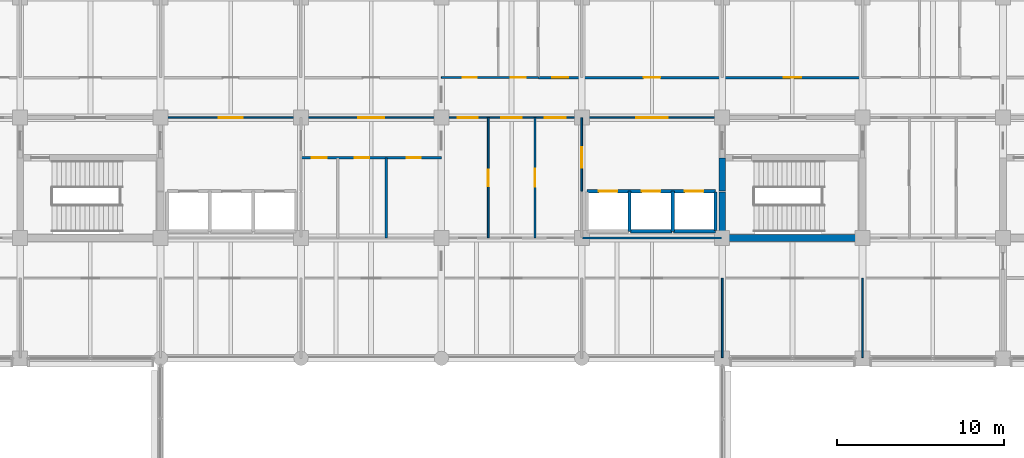
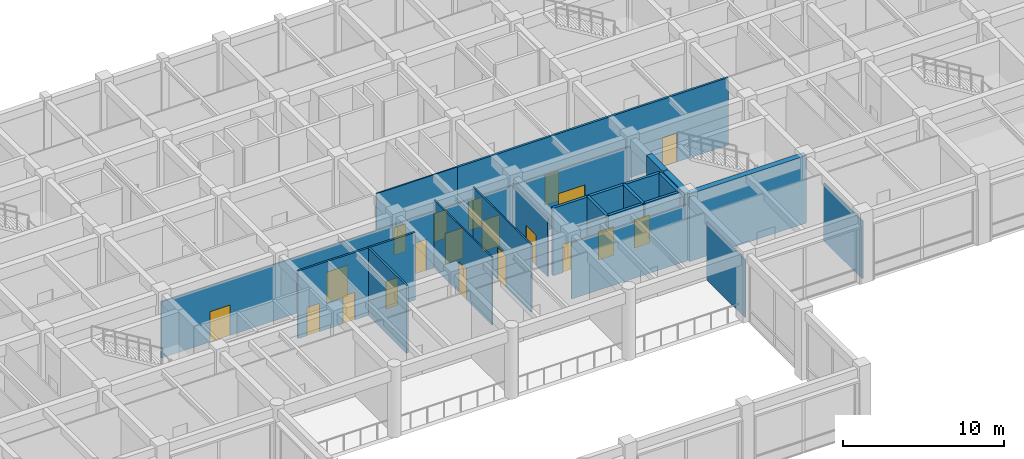
# One storey, part 31 of 51: 20 doors, 20 walls, 20 openings.
"""IFC4 building model written with IfcOpenShell, lengths in metres."""

from ifc_helpers import new_model, si_unit, direction, frame, frame_2d, origin, place, context, subcontext, project, spatial, rectangle, extrude, material, layer, layer_set, type_object, element, fill, save


model = new_model("IFC4")

# Units and contexts
model_context = context("Model", 3, precision=1e-05, world=origin(), true_north=direction((0.0, 1.0)))
body_context = subcontext(model_context, "Body", "Model", "MODEL_VIEW")
ifc_project = project(units=[si_unit("LENGTHUNIT", "METRE"), si_unit("AREAUNIT", "SQUARE_METRE"), si_unit("VOLUMEUNIT", "CUBIC_METRE"), si_unit("PLANEANGLEUNIT", "RADIAN"), si_unit("MASSUNIT", "GRAM", prefix="KILO")], contexts=[model_context])

# Site, building, storey
site_placement = place(None, origin())
site = spatial("IfcSite", under=ifc_project, at=site_placement, CompositionType="ELEMENT")
building_placement = place(site_placement, origin())
building = spatial("IfcBuilding", under=site, at=building_placement, Name="Chengyuan Square Courthouse", CompositionType="ELEMENT")
storey_placement = place(building_placement, frame((0.0, 0.0, 10.800048828125)))
storey = spatial("IfcBuildingStorey", under=building, at=storey_placement, Name="L03", CompositionType="ELEMENT", Elevation=10.800048828125)

# Wall, openings, doors
ifc_material_1 = material(Name="Deliberation Room Sound-Insulated Partition")
ifc_layer_1 = layer(ifc_material_1, 0.14990234375)
ifc_layer_set_1 = layer_set([ifc_layer_1], Name="Deliberation Room Sound-Insulated Partition")
wall_type_1 = type_object("IfcWallType", Name="WL-PT3", PredefinedType="STANDARD", material=ifc_layer_set_1)
wall_1_placement = place(storey_placement, frame((89.800048828125, 96.0, 0.0), z_axis=(0.0, 0.0, 1.0), x_axis=(1.0, 0.0, 0.0)))
wall_1 = element("IfcWall", 1, at=wall_1_placement, inside=storey, type_object=wall_type_1, Name="Interior Wall WL-L03-I1468", PredefinedType="STANDARD", context=body_context, shape_type="SweptSolid", body=[
    extrude(rectangle(XDim=19.39990234375, YDim=0.14990234375, at=frame_2d((9.699951171875, 0.0))), origin(), (0.0, 0.0, 1.0), 5.119873046875),
])
opening_1_placement = place(wall_1_placement, frame((0.820068359375, 0.0, 0.0)))
opening_1 = element("IfcOpeningElement", 2, at=opening_1_placement, cuts=wall_1, Name="Opening DR-1479", PredefinedType="OPENING", context=body_context, shape_type="SweptSolid", body=[
    extrude(rectangle(XDim=0.9599609375, YDim=2.199951171875, at=frame_2d((0.47998046875, 1.10009765625))), frame((0.0, 0.0869140625, 0.0), z_axis=(0.0, -1.0, 0.0), x_axis=(1.0, 0.0, 0.0)), (0.0, 0.0, 1.0), 0.173828125),
])
opening_2_placement = place(wall_1_placement, frame((6.300048828125, 0.0, 0.0)))
opening_2 = element("IfcOpeningElement", 3, at=opening_2_placement, cuts=wall_1, Name="Opening DR-1480", PredefinedType="OPENING", context=body_context, shape_type="SweptSolid", body=[
    extrude(rectangle(XDim=1.0, YDim=2.25, at=frame_2d((0.5, 1.125))), frame((0.0, 0.0869140625, 0.0), z_axis=(0.0, -1.0, 0.0), x_axis=(1.0, 0.0, 0.0)), (0.0, 0.0, 1.0), 0.173828125),
])
opening_3_placement = place(wall_1_placement, frame((14.679931640625, 0.0, 0.0)))
opening_3 = element("IfcOpeningElement", 4, at=opening_3_placement, cuts=wall_1, Name="Opening DR-1481", PredefinedType="OPENING", context=body_context, shape_type="SweptSolid", body=[
    extrude(rectangle(XDim=1.0400390625, YDim=2.199951171875, at=frame_2d((0.52001953125, 1.10009765625))), frame((0.0, 0.0869140625, 0.0), z_axis=(0.0, -1.0, 0.0), x_axis=(1.0, 0.0, 0.0)), (0.0, 0.0, 1.0), 0.173828125),
])
ifc_material_2 = material(Name="Acoustic Solid-Core Timber Door", Category="wood")
door_type_1 = type_object("IfcDoorType", Name="DT-30", OperationType="NOTDEFINED", PredefinedType="DOOR", material=ifc_material_2)
door_1_placement = place(opening_1_placement, origin())
door_1 = element("IfcDoor", 5, at=door_1_placement, inside=storey, type_object=door_type_1, Name="Interior Door DR-1479", OperationType="SINGLE_SWING_RIGHT", OverallHeight=2.199951171875, OverallWidth=0.9599609375, PredefinedType="DOOR", context=body_context, shape_type="SweptSolid", body=[
    extrude(rectangle(XDim=0.9599609375, YDim=2.199951171875, at=frame_2d((0.47998046875, 1.10009765625))), frame((0.0, 0.02490234375, 0.0), z_axis=(0.0, -1.0, 0.0), x_axis=(1.0, 0.0, 0.0)), (0.0, 0.0, 1.0), 0.050048828125),
])
fill(opening_1, door_1)
door_type_2 = type_object("IfcDoorType", Name="DT-31", OperationType="NOTDEFINED", PredefinedType="DOOR", material=ifc_material_2)
door_2_placement = place(opening_2_placement, origin())
door_2 = element("IfcDoor", 6, at=door_2_placement, inside=storey, type_object=door_type_2, Name="Interior Door DR-1480", OperationType="SINGLE_SWING_LEFT", OverallHeight=2.25, OverallWidth=1.0, PredefinedType="DOOR", context=body_context, shape_type="SweptSolid", body=[
    extrude(rectangle(XDim=1.0, YDim=2.25, at=frame_2d((0.5, 1.125))), frame((0.0, 0.02490234375, 0.0), z_axis=(0.0, -1.0, 0.0), x_axis=(1.0, 0.0, 0.0)), (0.0, 0.0, 1.0), 0.050048828125),
])
fill(opening_2, door_2)
door_type_3 = type_object("IfcDoorType", Name="DT-32", OperationType="NOTDEFINED", PredefinedType="DOOR", material=ifc_material_2)
door_3_placement = place(opening_3_placement, origin())
door_3 = element("IfcDoor", 7, at=door_3_placement, inside=storey, type_object=door_type_3, Name="Interior Door DR-1481", OperationType="SINGLE_SWING_RIGHT", OverallHeight=2.199951171875, OverallWidth=1.0400390625, PredefinedType="DOOR", context=body_context, shape_type="SweptSolid", body=[
    extrude(rectangle(XDim=1.0400390625, YDim=2.199951171875, at=frame_2d((0.52001953125, 1.10009765625))), frame((0.0, 0.02490234375, 0.0), z_axis=(0.0, -1.0, 0.0), x_axis=(1.0, 0.0, 0.0)), (0.0, 0.0, 1.0), 0.050048828125),
])
fill(opening_3, door_3)

ifc_material_3 = material(Name="Moisture-Resistant Masonry Wet-Room Partition", Category="masonry")
ifc_layer_2 = layer(ifc_material_3, 0.139892578125)
ifc_layer_set_2 = layer_set([ifc_layer_2], Name="Moisture-Resistant Masonry Wet-Room Partition")
wall_type_2 = type_object("IfcWallType", Name="WL-PT4", PredefinedType="STANDARD", material=ifc_layer_set_2)
wall_2_placement = place(storey_placement, frame((75.60009765625, 91.199951171875, 0.0), z_axis=(0.0, 0.0, 1.0), x_axis=(1.0, 0.0, 0.0)))
wall_2 = element("IfcWall", 8, at=wall_2_placement, inside=storey, type_object=wall_type_2, Name="Interior Wall WL-L03-I1444", PredefinedType="STANDARD", context=body_context, shape_type="SweptSolid", body=[
    extrude(rectangle(XDim=8.39990234375, YDim=0.139892578125, at=frame_2d((4.199951171875, 0.0))), origin(), (0.0, 0.0, 1.0), 5.119873046875),
])
opening_4_placement = place(wall_2_placement, frame((0.64990234375, 0.0, 0.0)))
opening_4 = element("IfcOpeningElement", 9, at=opening_4_placement, cuts=wall_2, Name="Opening DR-1442", PredefinedType="OPENING", context=body_context, shape_type="SweptSolid", body=[
    extrude(rectangle(XDim=0.89990234375, YDim=2.14990234375, at=frame_2d((0.449951171875, 1.074951171875))), frame((0.0, 0.08203125, 0.0), z_axis=(0.0, -1.0, 0.0), x_axis=(1.0, 0.0, 0.0)), (0.0, 0.0, 1.0), 0.163818359375),
])
opening_5_placement = place(wall_2_placement, frame((3.219970703125, 0.0, 0.0)))
opening_5 = element("IfcOpeningElement", 10, at=opening_5_placement, cuts=wall_2, Name="Opening DR-1443", PredefinedType="OPENING", context=body_context, shape_type="SweptSolid", body=[
    extrude(rectangle(XDim=0.860107421875, YDim=2.10009765625, at=frame_2d((0.43017578125, 1.050048828125))), frame((0.0, 0.08203125, 0.0), z_axis=(0.0, -1.0, 0.0), x_axis=(1.0, 0.0, 0.0)), (0.0, 0.0, 1.0), 0.163818359375),
])
opening_6_placement = place(wall_2_placement, frame((6.320068359375, 0.0, 0.0)))
opening_6 = element("IfcOpeningElement", 11, at=opening_6_placement, cuts=wall_2, Name="Opening DR-1444", PredefinedType="OPENING", context=body_context, shape_type="SweptSolid", body=[
    extrude(rectangle(XDim=0.860107421875, YDim=2.10009765625, at=frame_2d((0.43017578125, 1.050048828125))), frame((0.0, 0.08203125, 0.0), z_axis=(0.0, -1.0, 0.0), x_axis=(1.0, 0.0, 0.0)), (0.0, 0.0, 1.0), 0.163818359375),
])
door_type_4 = type_object("IfcDoorType", Name="DT-27", OperationType="NOTDEFINED", PredefinedType="DOOR", material=ifc_material_2)
door_4_placement = place(opening_4_placement, origin())
door_4 = element("IfcDoor", 12, at=door_4_placement, inside=storey, type_object=door_type_4, Name="Interior Door DR-1442", OperationType="SINGLE_SWING_RIGHT", OverallHeight=2.14990234375, OverallWidth=0.89990234375, PredefinedType="DOOR", context=body_context, shape_type="SweptSolid", body=[
    extrude(rectangle(XDim=0.89990234375, YDim=2.14990234375, at=frame_2d((0.449951171875, 1.074951171875))), frame((0.0, 0.02490234375, 0.0), z_axis=(0.0, -1.0, 0.0), x_axis=(1.0, 0.0, 0.0)), (0.0, 0.0, 1.0), 0.050048828125),
])
fill(opening_4, door_4)
door_type_5 = type_object("IfcDoorType", Name="DT-28", OperationType="NOTDEFINED", PredefinedType="DOOR", material=ifc_material_2)
door_5_placement = place(opening_5_placement, origin())
door_5 = element("IfcDoor", 13, at=door_5_placement, inside=storey, type_object=door_type_5, Name="Interior Door DR-1443", OperationType="SINGLE_SWING_LEFT", OverallHeight=2.10009765625, OverallWidth=0.860107421875, PredefinedType="DOOR", context=body_context, shape_type="SweptSolid", body=[
    extrude(rectangle(XDim=0.860107421875, YDim=2.10009765625, at=frame_2d((0.43017578125, 1.050048828125))), frame((0.0, 0.02490234375, 0.0), z_axis=(0.0, -1.0, 0.0), x_axis=(1.0, 0.0, 0.0)), (0.0, 0.0, 1.0), 0.050048828125),
])
fill(opening_5, door_5)
door_6_placement = place(opening_6_placement, origin())
door_6 = element("IfcDoor", 14, at=door_6_placement, inside=storey, type_object=door_type_5, Name="Interior Door DR-1444", OperationType="SINGLE_SWING_RIGHT", OverallHeight=2.10009765625, OverallWidth=0.860107421875, PredefinedType="DOOR", context=body_context, shape_type="SweptSolid", body=[
    extrude(rectangle(XDim=0.860107421875, YDim=2.10009765625, at=frame_2d((0.43017578125, 1.050048828125))), frame((0.0, 0.02490234375, 0.0), z_axis=(0.0, -1.0, 0.0), x_axis=(1.0, 0.0, 0.0)), (0.0, 0.0, 1.0), 0.050048828125),
])
fill(opening_6, door_6)

# Walls
wall_3_placement = place(storey_placement, frame((80.699951171875, 86.39990234375, 0.0), z_axis=(0.0, 0.0, 1.0), x_axis=(0.0, 1.0, 0.0)))
element("IfcWall", 15, at=wall_3_placement, inside=storey, type_object=wall_type_2, Name="Interior Wall WL-L03-I1639", PredefinedType="STANDARD", context=body_context, shape_type="SweptSolid", body=[
    extrude(rectangle(XDim=4.800048828125, YDim=0.139892578125, at=frame_2d((2.39990234375, 0.0))), origin(), (0.0, 0.0, 1.0), 5.119873046875),
])
ifc_material_4 = material(Name="Gypsum Plasterboard Acoustic Stud Partition")
ifc_layer_3 = layer(ifc_material_4, 0.10009765625)
ifc_layer_set_3 = layer_set([ifc_layer_3], Name="Gypsum Plasterboard Acoustic Stud Partition")
wall_type_3 = type_object("IfcWallType", Name="WL-PT6", PredefinedType="STANDARD", material=ifc_layer_set_3)
wall_4_placement = place(storey_placement, frame((92.449951171875, 86.39990234375, 0.0), z_axis=(0.0, 0.0, 1.0), x_axis=(1.0, 0.0, 0.0)))
element("IfcWall", 16, at=wall_4_placement, inside=storey, type_object=wall_type_3, Name="Interior Wall WL-L03-I1426", PredefinedType="STANDARD", context=body_context, shape_type="SweptSolid", body=[
    extrude(rectangle(XDim=8.300048828125, YDim=0.10009765625, at=frame_2d((4.14990234375, 0.0))), origin(), (0.0, 0.0, 1.0), 4.27001953125),
])

# Wall, openings, doors
wall_5_placement = place(storey_placement, frame((67.199951171875, 93.60009765625, 0.0), z_axis=(0.0, 0.0, 1.0), x_axis=(1.0, 0.0, 0.0)))
wall_5 = element("IfcWall", 17, at=wall_5_placement, inside=storey, type_object=wall_type_3, Name="Interior Wall WL-L03-I1454", PredefinedType="STANDARD", context=body_context, shape_type="SweptSolid", body=[
    extrude(rectangle(XDim=33.60009765625, YDim=0.10009765625, at=frame_2d((16.800048828125, 0.0))), origin(), (0.0, 0.0, 1.0), 4.27001953125),
])
opening_7_placement = place(wall_5_placement, frame((3.47509765625, 0.0, 0.0)))
opening_7 = element("IfcOpeningElement", 18, at=opening_7_placement, cuts=wall_5, Name="Opening DR-1399", PredefinedType="OPENING", context=body_context, shape_type="SweptSolid", body=[
    extrude(rectangle(XDim=1.449951171875, YDim=2.300048828125, at=frame_2d((0.72509765625, 1.14990234375))), frame((0.0, 0.06201171875, 0.0), z_axis=(0.0, -1.0, 0.0), x_axis=(1.0, 0.0, 0.0)), (0.0, 0.0, 1.0), 0.1240234375),
])
opening_8_placement = place(wall_5_placement, frame((28.449951171875, 0.0, 0.0)))
opening_8 = element("IfcOpeningElement", 19, at=opening_8_placement, cuts=wall_5, Name="Opening DR-1400", PredefinedType="OPENING", context=body_context, shape_type="SweptSolid", body=[
    extrude(rectangle(XDim=1.89990234375, YDim=2.5, at=frame_2d((0.949951171875, 1.25))), frame((0.0, 0.06201171875, 0.0), z_axis=(0.0, -1.0, 0.0), x_axis=(1.0, 0.0, 0.0)), (0.0, 0.0, 1.0), 0.1240234375),
])
opening_9_placement = place(wall_5_placement, frame((11.824951171875, 0.0, 0.0)))
opening_9 = element("IfcOpeningElement", 20, at=opening_9_placement, cuts=wall_5, Name="Opening DR-1445", PredefinedType="OPENING", context=body_context, shape_type="SweptSolid", body=[
    extrude(rectangle(XDim=1.550048828125, YDim=2.35009765625, at=frame_2d((0.77490234375, 1.175048828125))), frame((0.0, 0.06201171875, 0.0), z_axis=(0.0, -1.0, 0.0), x_axis=(1.0, 0.0, 0.0)), (0.0, 0.0, 1.0), 0.1240234375),
])
opening_10_placement = place(wall_5_placement, frame((17.784912109375, 0.0, 0.0)))
opening_10 = element("IfcOpeningElement", 21, at=opening_10_placement, cuts=wall_5, Name="Opening DR-1485", PredefinedType="OPENING", context=body_context, shape_type="SweptSolid", body=[
    extrude(rectangle(XDim=1.199951171875, YDim=2.35009765625, at=frame_2d((0.60009765625, 1.175048828125))), frame((0.0, 0.06201171875, 0.0), z_axis=(0.0, -1.0, 0.0), x_axis=(1.0, 0.0, 0.0)), (0.0, 0.0, 1.0), 0.1240234375),
])
opening_11_placement = place(wall_5_placement, frame((20.3798828125, 0.0, 0.0)))
opening_11 = element("IfcOpeningElement", 22, at=opening_11_placement, cuts=wall_5, Name="Opening DR-1486", PredefinedType="OPENING", context=body_context, shape_type="SweptSolid", body=[
    extrude(rectangle(XDim=1.239990234375, YDim=2.300048828125, at=frame_2d((0.6201171875, 1.14990234375))), frame((0.0, 0.06201171875, 0.0), z_axis=(0.0, -1.0, 0.0), x_axis=(1.0, 0.0, 0.0)), (0.0, 0.0, 1.0), 0.1240234375),
])
opening_12_placement = place(wall_5_placement, frame((22.97509765625, 0.0, 0.0)))
opening_12 = element("IfcOpeningElement", 23, at=opening_12_placement, cuts=wall_5, Name="Opening DR-1487", PredefinedType="OPENING", context=body_context, shape_type="SweptSolid", body=[
    extrude(rectangle(XDim=1.280029296875, YDim=2.35009765625, at=frame_2d((0.64013671875, 1.175048828125))), frame((0.0, 0.06201171875, 0.0), z_axis=(0.0, -1.0, 0.0), x_axis=(1.0, 0.0, 0.0)), (0.0, 0.0, 1.0), 0.1240234375),
])
ifc_material_5 = material(Name="Acoustic Larch Veneer Double Door")
door_type_6 = type_object("IfcDoorType", Name="DT-23", OperationType="DOUBLE_DOOR_SINGLE_SWING", PredefinedType="DOOR", material=ifc_material_5)
door_7_placement = place(opening_9_placement, frame((1.550048828125, 0.0, 0.0), z_axis=(0.0, 0.0, 1.0), x_axis=(-1.0, 0.0, 0.0)))
door_7 = element("IfcDoor", 24, at=door_7_placement, inside=storey, type_object=door_type_6, Name="Interior Door DR-1445", OperationType="DOUBLE_DOOR_SINGLE_SWING", OverallHeight=2.35009765625, OverallWidth=1.550048828125, PredefinedType="DOOR", context=body_context, shape_type="SweptSolid", body=[
    extrude(rectangle(XDim=1.550048828125, YDim=2.35009765625, at=frame_2d((0.77490234375, 1.175048828125))), frame((0.0, 0.02490234375, 0.0), z_axis=(0.0, -1.0, 0.0), x_axis=(1.0, 0.0, 0.0)), (0.0, 0.0, 1.0), 0.050048828125),
])
fill(opening_9, door_7)
door_type_7 = type_object("IfcDoorType", Name="DT-25", OperationType="DOUBLE_DOOR_SINGLE_SWING", PredefinedType="DOOR", material=ifc_material_5)
door_8_placement = place(opening_7_placement, frame((1.449951171875, 0.0, 0.0), z_axis=(0.0, 0.0, 1.0), x_axis=(-1.0, 0.0, 0.0)))
door_8 = element("IfcDoor", 25, at=door_8_placement, inside=storey, type_object=door_type_7, Name="Interior Door DR-1399", OperationType="DOUBLE_DOOR_SINGLE_SWING", OverallHeight=2.300048828125, OverallWidth=1.449951171875, PredefinedType="DOOR", context=body_context, shape_type="SweptSolid", body=[
    extrude(rectangle(XDim=1.449951171875, YDim=2.300048828125, at=frame_2d((0.72509765625, 1.14990234375))), frame((0.0, 0.02490234375, 0.0), z_axis=(0.0, -1.0, 0.0), x_axis=(1.0, 0.0, 0.0)), (0.0, 0.0, 1.0), 0.050048828125),
])
fill(opening_7, door_8)
door_type_8 = type_object("IfcDoorType", Name="DT-26", OperationType="DOUBLE_DOOR_SINGLE_SWING", PredefinedType="DOOR", material=ifc_material_5)
door_9_placement = place(opening_8_placement, frame((1.89990234375, 0.0, 0.0), z_axis=(0.0, 0.0, 1.0), x_axis=(-1.0, 0.0, 0.0)))
door_9 = element("IfcDoor", 26, at=door_9_placement, inside=storey, type_object=door_type_8, Name="Interior Door DR-1400", OperationType="DOUBLE_DOOR_SINGLE_SWING", OverallHeight=2.5, OverallWidth=1.89990234375, PredefinedType="DOOR", context=body_context, shape_type="SweptSolid", body=[
    extrude(rectangle(XDim=1.89990234375, YDim=2.5, at=frame_2d((0.949951171875, 1.25))), frame((0.0, 0.02490234375, 0.0), z_axis=(0.0, -1.0, 0.0), x_axis=(1.0, 0.0, 0.0)), (0.0, 0.0, 1.0), 0.050048828125),
])
fill(opening_8, door_9)
door_type_9 = type_object("IfcDoorType", Name="DT-36", OperationType="NOTDEFINED", PredefinedType="DOOR", material=ifc_material_2)
door_10_placement = place(opening_10_placement, origin())
door_10 = element("IfcDoor", 27, at=door_10_placement, inside=storey, type_object=door_type_9, Name="Interior Door DR-1485", OperationType="SINGLE_SWING_RIGHT", OverallHeight=2.35009765625, OverallWidth=1.199951171875, PredefinedType="DOOR", context=body_context, shape_type="SweptSolid", body=[
    extrude(rectangle(XDim=1.199951171875, YDim=2.35009765625, at=frame_2d((0.60009765625, 1.175048828125))), frame((0.0, 0.02490234375, 0.0), z_axis=(0.0, -1.0, 0.0), x_axis=(1.0, 0.0, 0.0)), (0.0, 0.0, 1.0), 0.050048828125),
])
fill(opening_10, door_10)
door_type_10 = type_object("IfcDoorType", Name="DT-37", OperationType="NOTDEFINED", PredefinedType="DOOR", material=ifc_material_2)
door_11_placement = place(opening_11_placement, origin())
door_11 = element("IfcDoor", 28, at=door_11_placement, inside=storey, type_object=door_type_10, Name="Interior Door DR-1486", OperationType="SINGLE_SWING_LEFT", OverallHeight=2.300048828125, OverallWidth=1.239990234375, PredefinedType="DOOR", context=body_context, shape_type="SweptSolid", body=[
    extrude(rectangle(XDim=1.239990234375, YDim=2.300048828125, at=frame_2d((0.6201171875, 1.14990234375))), frame((0.0, 0.02490234375, 0.0), z_axis=(0.0, -1.0, 0.0), x_axis=(1.0, 0.0, 0.0)), (0.0, 0.0, 1.0), 0.050048828125),
])
fill(opening_11, door_11)
door_type_11 = type_object("IfcDoorType", Name="DT-38", OperationType="NOTDEFINED", PredefinedType="DOOR", material=ifc_material_2)
door_12_placement = place(opening_12_placement, origin())
door_12 = element("IfcDoor", 29, at=door_12_placement, inside=storey, type_object=door_type_11, Name="Interior Door DR-1487", OperationType="SINGLE_SWING_RIGHT", OverallHeight=2.35009765625, OverallWidth=1.280029296875, PredefinedType="DOOR", context=body_context, shape_type="SweptSolid", body=[
    extrude(rectangle(XDim=1.280029296875, YDim=2.35009765625, at=frame_2d((0.64013671875, 1.175048828125))), frame((0.0, 0.02490234375, 0.0), z_axis=(0.0, -1.0, 0.0), x_axis=(1.0, 0.0, 0.0)), (0.0, 0.0, 1.0), 0.050048828125),
])
fill(opening_12, door_12)

wall_6_placement = place(storey_placement, frame((84.0, 96.0, 0.0), z_axis=(0.0, 0.0, 1.0), x_axis=(1.0, 0.0, 0.0)))
wall_6 = element("IfcWall", 30, at=wall_6_placement, inside=storey, type_object=wall_type_3, Name="Interior Wall WL-L03-I1467", PredefinedType="STANDARD", context=body_context, shape_type="SweptSolid", body=[
    extrude(rectangle(XDim=5.800048828125, YDim=0.10009765625, at=frame_2d((2.89990234375, 0.0))), origin(), (0.0, 0.0, 1.0), 5.119873046875),
])
opening_13_placement = place(wall_6_placement, frame((1.27001953125, 0.0, 0.0)))
opening_13 = element("IfcOpeningElement", 31, at=opening_13_placement, cuts=wall_6, Name="Opening DR-1477", PredefinedType="OPENING", context=body_context, shape_type="SweptSolid", body=[
    extrude(rectangle(XDim=0.860107421875, YDim=2.10009765625, at=frame_2d((0.43017578125, 1.050048828125))), frame((0.0, 0.06201171875, 0.0), z_axis=(0.0, -1.0, 0.0), x_axis=(1.0, 0.0, 0.0)), (0.0, 0.0, 1.0), 0.1240234375),
])
opening_14_placement = place(wall_6_placement, frame((4.139892578125, 0.0, 0.0)))
opening_14 = element("IfcOpeningElement", 32, at=opening_14_placement, cuts=wall_6, Name="Opening DR-1478", PredefinedType="OPENING", context=body_context, shape_type="SweptSolid", body=[
    extrude(rectangle(XDim=0.919921875, YDim=2.14990234375, at=frame_2d((0.4599609375, 1.074951171875))), frame((0.0, 0.06201171875, 0.0), z_axis=(0.0, -1.0, 0.0), x_axis=(1.0, 0.0, 0.0)), (0.0, 0.0, 1.0), 0.1240234375),
])
door_13_placement = place(opening_13_placement, origin())
door_13 = element("IfcDoor", 33, at=door_13_placement, inside=storey, type_object=door_type_5, Name="Interior Door DR-1477", OperationType="SINGLE_SWING_RIGHT", OverallHeight=2.10009765625, OverallWidth=0.860107421875, PredefinedType="DOOR", context=body_context, shape_type="SweptSolid", body=[
    extrude(rectangle(XDim=0.860107421875, YDim=2.10009765625, at=frame_2d((0.43017578125, 1.050048828125))), frame((0.0, 0.02490234375, 0.0), z_axis=(0.0, -1.0, 0.0), x_axis=(1.0, 0.0, 0.0)), (0.0, 0.0, 1.0), 0.050048828125),
])
fill(opening_13, door_13)
door_type_12 = type_object("IfcDoorType", Name="DT-29", OperationType="NOTDEFINED", PredefinedType="DOOR", material=ifc_material_2)
door_14_placement = place(opening_14_placement, origin())
door_14 = element("IfcDoor", 34, at=door_14_placement, inside=storey, type_object=door_type_12, Name="Interior Door DR-1478", OperationType="SINGLE_SWING_LEFT", OverallHeight=2.14990234375, OverallWidth=0.919921875, PredefinedType="DOOR", context=body_context, shape_type="SweptSolid", body=[
    extrude(rectangle(XDim=0.919921875, YDim=2.14990234375, at=frame_2d((0.4599609375, 1.074951171875))), frame((0.0, 0.02490234375, 0.0), z_axis=(0.0, -1.0, 0.0), x_axis=(1.0, 0.0, 0.0)), (0.0, 0.0, 1.0), 0.050048828125),
])
fill(opening_14, door_14)

# Wall, opening, door
wall_7_placement = place(storey_placement, frame((86.800048828125, 86.39990234375, 0.0), z_axis=(0.0, 0.0, 1.0), x_axis=(0.0, 1.0, 0.0)))
wall_7 = element("IfcWall", 35, at=wall_7_placement, inside=storey, type_object=wall_type_3, Name="Interior Wall WL-L03-I1645", PredefinedType="STANDARD", context=body_context, shape_type="SweptSolid", body=[
    extrude(rectangle(XDim=7.2001953125, YDim=0.10009765625, at=frame_2d((3.60009765625, 0.0))), origin(), (0.0, 0.0, 1.0), 5.119873046875),
])
opening_15_placement = place(wall_7_placement, frame((3.110107421875, 0.0, 0.0)))
opening_15 = element("IfcOpeningElement", 36, at=opening_15_placement, cuts=wall_7, Name="Opening DR-1540", PredefinedType="OPENING", context=body_context, shape_type="SweptSolid", body=[
    extrude(rectangle(XDim=0.97998046875, YDim=2.35009765625, at=frame_2d((0.489990234375, 1.175048828125))), frame((0.0, 0.06201171875, 0.0), z_axis=(0.0, -1.0, 0.0), x_axis=(1.0, 0.0, 0.0)), (0.0, 0.0, 1.0), 0.1240234375),
])
door_type_13 = type_object("IfcDoorType", Name="DT-40", OperationType="NOTDEFINED", PredefinedType="DOOR", material=ifc_material_2)
door_15_placement = place(opening_15_placement, origin())
door_15 = element("IfcDoor", 37, at=door_15_placement, inside=storey, type_object=door_type_13, Name="Interior Door DR-1540", OperationType="SINGLE_SWING_RIGHT", OverallHeight=2.35009765625, OverallWidth=0.97998046875, PredefinedType="DOOR", context=body_context, shape_type="SweptSolid", body=[
    extrude(rectangle(XDim=0.97998046875, YDim=2.35009765625, at=frame_2d((0.489990234375, 1.175048828125))), frame((0.0, 0.02490234375, 0.0), z_axis=(0.0, -1.0, 0.0), x_axis=(1.0, 0.0, 0.0)), (0.0, 0.0, 1.0), 0.050048828125),
])
fill(opening_15, door_15)

wall_8_placement = place(storey_placement, frame((89.60009765625, 86.39990234375, 0.0), z_axis=(0.0, 0.0, 1.0), x_axis=(0.0, 1.0, 0.0)))
wall_8 = element("IfcWall", 38, at=wall_8_placement, inside=storey, type_object=wall_type_3, Name="Interior Wall WL-L03-I1649", PredefinedType="STANDARD", context=body_context, shape_type="SweptSolid", body=[
    extrude(rectangle(XDim=7.2001953125, YDim=0.10009765625, at=frame_2d((3.60009765625, 0.0))), origin(), (0.0, 0.0, 1.0), 5.119873046875),
])
opening_16_placement = place(wall_8_placement, frame((3.070068359375, 0.0, 0.0)))
opening_16 = element("IfcOpeningElement", 39, at=opening_16_placement, cuts=wall_8, Name="Opening DR-1542", PredefinedType="OPENING", context=body_context, shape_type="SweptSolid", body=[
    extrude(rectangle(XDim=1.06005859375, YDim=2.39990234375, at=frame_2d((0.530029296875, 1.199951171875))), frame((0.0, 0.06201171875, 0.0), z_axis=(0.0, -1.0, 0.0), x_axis=(1.0, 0.0, 0.0)), (0.0, 0.0, 1.0), 0.1240234375),
])
door_type_14 = type_object("IfcDoorType", Name="DT-42", OperationType="NOTDEFINED", PredefinedType="DOOR", material=ifc_material_2)
door_16_placement = place(opening_16_placement, origin())
door_16 = element("IfcDoor", 40, at=door_16_placement, inside=storey, type_object=door_type_14, Name="Interior Door DR-1542", OperationType="SINGLE_SWING_RIGHT", OverallHeight=2.39990234375, OverallWidth=1.06005859375, PredefinedType="DOOR", context=body_context, shape_type="SweptSolid", body=[
    extrude(rectangle(XDim=1.06005859375, YDim=2.39990234375, at=frame_2d((0.530029296875, 1.199951171875))), frame((0.0, 0.02490234375, 0.0), z_axis=(0.0, -1.0, 0.0), x_axis=(1.0, 0.0, 0.0)), (0.0, 0.0, 1.0), 0.050048828125),
])
fill(opening_16, door_16)

wall_9_placement = place(storey_placement, frame((92.39990234375, 89.199951171875, 0.0), z_axis=(0.0, 0.0, 1.0), x_axis=(0.0, 1.0, 0.0)))
wall_9 = element("IfcWall", 41, at=wall_9_placement, inside=storey, type_object=wall_type_3, Name="Interior Wall WL-L03-I1654", PredefinedType="STANDARD", context=body_context, shape_type="SweptSolid", body=[
    extrude(rectangle(XDim=4.400146484375, YDim=0.10009765625, at=frame_2d((2.2001953125, 0.0))), origin(), (0.0, 0.0, 1.0), 4.369873046875),
])
opening_17_placement = place(wall_9_placement, frame((1.39501953125, 0.0, 0.0)))
opening_17 = element("IfcOpeningElement", 42, at=opening_17_placement, cuts=wall_9, Name="Opening DR-1401", PredefinedType="OPENING", context=body_context, shape_type="SweptSolid", body=[
    extrude(rectangle(XDim=1.239990234375, YDim=2.300048828125, at=frame_2d((0.6201171875, 1.14990234375))), frame((0.0, 0.06201171875, 0.0), z_axis=(0.0, -1.0, 0.0), x_axis=(1.0, 0.0, 0.0)), (0.0, 0.0, 1.0), 0.1240234375),
])
door_17_placement = place(opening_17_placement, origin())
door_17 = element("IfcDoor", 43, at=door_17_placement, inside=storey, type_object=door_type_10, Name="Interior Door DR-1401", OperationType="SINGLE_SWING_LEFT", OverallHeight=2.300048828125, OverallWidth=1.239990234375, PredefinedType="DOOR", context=body_context, shape_type="SweptSolid", body=[
    extrude(rectangle(XDim=1.239990234375, YDim=2.300048828125, at=frame_2d((0.6201171875, 1.14990234375))), frame((0.0, 0.02490234375, 0.0), z_axis=(0.0, -1.0, 0.0), x_axis=(1.0, 0.0, 0.0)), (0.0, 0.0, 1.0), 0.050048828125),
])
fill(opening_17, door_17)

# Walls
for number, where, z_axis, x_axis, name in (
    (44, (100.800048828125, 79.239990234375, 0.0), (0.0, 0.0, 1.0), (0.0, 1.0, 0.0), "Interior Wall WL-L03-I1667"),
    (45, (109.199951171875, 79.239990234375, 0.0), (0.0, 0.0, 1.0), (0.0, 1.0, 0.0), "Interior Wall WL-L03-I1676"),
):
    element("IfcWall", number, at=place(storey_placement, frame(where, z_axis=z_axis, x_axis=x_axis)), inside=storey, type_object=wall_type_3, Name=name, PredefinedType="STANDARD", context=body_context, shape_type="SweptSolid", body=[
        extrude(rectangle(XDim=4.760009765625, YDim=0.10009765625, at=frame_2d((2.3798828125, 0.0))), origin(), (0.0, 0.0, 1.0), 4.369873046875),
    ])
ifc_material_6 = material(Name="Reinforced Masonry Shaft Enclosure", Category="masonry")
ifc_layer_4 = layer(ifc_material_6, 0.199951171875)
ifc_layer_set_4 = layer_set([ifc_layer_4], Name="Reinforced Masonry Shaft Enclosure")
wall_type_4 = type_object("IfcWallType", Name="WL-SH1", PredefinedType="STANDARD", material=ifc_layer_set_4)
for number, where, z_axis, x_axis, name in (
    (46, (95.300048828125, 86.800048828125, 0.0), (0.0, 0.0, 1.0), (1.0, 0.0, 0.0), "Interior Wall WL-L03-I1437"),
    (47, (97.89990234375, 86.800048828125, 0.0), (0.0, 0.0, 1.0), (1.0, 0.0, 0.0), "Interior Wall WL-L03-I1438"),
):
    element("IfcWall", number, at=place(storey_placement, frame(where, z_axis=z_axis, x_axis=x_axis)), inside=storey, type_object=wall_type_4, Name=name, PredefinedType="STANDARD", context=body_context, shape_type="SweptSolid", body=[
        extrude(rectangle(XDim=2.5, YDim=0.199951171875, at=frame_2d((1.25, 0.0))), origin(), (0.0, 0.0, 1.0), 5.119873046875),
    ])

# Wall, openings, doors
wall_10_placement = place(storey_placement, frame((92.699951171875, 89.199951171875, 0.0), z_axis=(0.0, 0.0, 1.0), x_axis=(1.0, 0.0, 0.0)))
wall_10 = element("IfcWall", 48, at=wall_10_placement, inside=storey, type_object=wall_type_4, Name="Interior Wall WL-L03-I1440", PredefinedType="STANDARD", context=body_context, shape_type="SweptSolid", body=[
    extrude(rectangle(XDim=7.699951171875, YDim=0.199951171875, at=frame_2d((3.85009765625, 0.0))), origin(), (0.0, 0.0, 1.0), 5.119873046875),
])
opening_18_placement = place(wall_10_placement, frame((0.72509765625, 0.0, 0.0)))
opening_18 = element("IfcOpeningElement", 49, at=opening_18_placement, cuts=wall_10, Name="Opening LD-064", PredefinedType="OPENING", context=body_context, shape_type="SweptSolid", body=[
    extrude(rectangle(XDim=1.10009765625, YDim=2.14990234375, at=frame_2d((0.550048828125, 1.074951171875))), frame((0.0, 0.112060546875, 0.0), z_axis=(0.0, -1.0, 0.0), x_axis=(1.0, 0.0, 0.0)), (0.0, 0.0, 1.0), 0.223876953125),
])
opening_19_placement = place(wall_10_placement, frame((3.300048828125, 0.0, 0.0)))
opening_19 = element("IfcOpeningElement", 50, at=opening_19_placement, cuts=wall_10, Name="Opening LD-065", PredefinedType="OPENING", context=body_context, shape_type="SweptSolid", body=[
    extrude(rectangle(XDim=1.10009765625, YDim=2.14990234375, at=frame_2d((0.550048828125, 1.074951171875))), frame((0.0, 0.112060546875, 0.0), z_axis=(0.0, -1.0, 0.0), x_axis=(1.0, 0.0, 0.0)), (0.0, 0.0, 1.0), 0.223876953125),
])
opening_20_placement = place(wall_10_placement, frame((5.875, 0.0, 0.0)))
opening_20 = element("IfcOpeningElement", 51, at=opening_20_placement, cuts=wall_10, Name="Opening LD-066", PredefinedType="OPENING", context=body_context, shape_type="SweptSolid", body=[
    extrude(rectangle(XDim=1.10009765625, YDim=2.14990234375, at=frame_2d((0.550048828125, 1.074951171875))), frame((0.0, 0.112060546875, 0.0), z_axis=(0.0, -1.0, 0.0), x_axis=(1.0, 0.0, 0.0)), (0.0, 0.0, 1.0), 0.223876953125),
])
ifc_material_7 = material(Name="Stainless Steel S30408 Lift Landing Door", Category="steel")
door_type_15 = type_object("IfcDoorType", Name="DT-06", OperationType="DOUBLE_DOOR_SLIDING", PredefinedType="DOOR", material=ifc_material_7)
door_18_placement = place(opening_18_placement, origin())
door_18 = element("IfcDoor", 52, at=door_18_placement, inside=storey, type_object=door_type_15, Name="Lift Landing Door LF-P4 L03", OperationType="DOUBLE_DOOR_SLIDING", OverallHeight=2.14990234375, OverallWidth=1.10009765625, PredefinedType="DOOR", context=body_context, shape_type="SweptSolid", body=[
    extrude(rectangle(XDim=1.10009765625, YDim=2.14990234375, at=frame_2d((0.550048828125, 1.074951171875))), frame((0.0, 0.02490234375, 0.0), z_axis=(0.0, -1.0, 0.0), x_axis=(1.0, 0.0, 0.0)), (0.0, 0.0, 1.0), 0.050048828125),
])
fill(opening_18, door_18)
door_19_placement = place(opening_19_placement, origin())
door_19 = element("IfcDoor", 53, at=door_19_placement, inside=storey, type_object=door_type_15, Name="Lift Landing Door LF-P5 L03", OperationType="DOUBLE_DOOR_SLIDING", OverallHeight=2.14990234375, OverallWidth=1.10009765625, PredefinedType="DOOR", context=body_context, shape_type="SweptSolid", body=[
    extrude(rectangle(XDim=1.10009765625, YDim=2.14990234375, at=frame_2d((0.550048828125, 1.074951171875))), frame((0.0, 0.02490234375, 0.0), z_axis=(0.0, -1.0, 0.0), x_axis=(1.0, 0.0, 0.0)), (0.0, 0.0, 1.0), 0.050048828125),
])
fill(opening_19, door_19)
door_20_placement = place(opening_20_placement, origin())
door_20 = element("IfcDoor", 54, at=door_20_placement, inside=storey, type_object=door_type_15, Name="Lift Landing Door LF-P6 L03", OperationType="DOUBLE_DOOR_SLIDING", OverallHeight=2.14990234375, OverallWidth=1.10009765625, PredefinedType="DOOR", context=body_context, shape_type="SweptSolid", body=[
    extrude(rectangle(XDim=1.10009765625, YDim=2.14990234375, at=frame_2d((0.550048828125, 1.074951171875))), frame((0.0, 0.02490234375, 0.0), z_axis=(0.0, -1.0, 0.0), x_axis=(1.0, 0.0, 0.0)), (0.0, 0.0, 1.0), 0.050048828125),
])
fill(opening_20, door_20)

# Walls
for number, where, z_axis, x_axis, name in (
    (55, (95.25, 86.800048828125, 0.0), (0.0, 0.0, 1.0), (0.0, 1.0, 0.0), "Interior Wall WL-L03-I1660"),
    (56, (97.85009765625, 86.800048828125, 0.0), (0.0, 0.0, 1.0), (0.0, 1.0, 0.0), "Interior Wall WL-L03-I1664"),
):
    element("IfcWall", number, at=place(storey_placement, frame(where, z_axis=z_axis, x_axis=x_axis)), inside=storey, type_object=wall_type_4, Name=name, PredefinedType="STANDARD", context=body_context, shape_type="SweptSolid", body=[
        extrude(rectangle(XDim=2.39990234375, YDim=0.199951171875, at=frame_2d((1.199951171875, 0.0))), origin(), (0.0, 0.0, 1.0), 5.119873046875),
    ])
wall_11_placement = place(storey_placement, frame((100.39990234375, 86.85009765625, 0.0), z_axis=(0.0, 0.0, 1.0), x_axis=(0.0, 1.0, 0.0)))
element("IfcWall", 57, at=wall_11_placement, inside=storey, type_object=wall_type_4, Name="Interior Wall WL-L03-I1665", PredefinedType="STANDARD", context=body_context, shape_type="SweptSolid", body=[
    extrude(rectangle(XDim=2.2998046875, YDim=0.199951171875, at=frame_2d((1.14990234375, 0.0))), origin(), (0.0, 0.0, 1.0), 5.119873046875),
])
ifc_material_8 = material(Name="Concrete C50", Category="concrete")
ifc_layer_5 = layer(ifc_material_8, 0.39990234375)
ifc_layer_set_5 = layer_set([ifc_layer_5], Name="Concrete C50")
wall_type_5 = type_object("IfcWallType", Name="WL-SW1", PredefinedType="SHEAR", material=ifc_layer_set_5)
wall_12_placement = place(storey_placement, frame((100.800048828125, 86.39990234375, 0.0), z_axis=(0.0, 0.0, 1.0), x_axis=(1.0, 0.0, 0.0)))
element("IfcWall", 58, at=wall_12_placement, inside=storey, type_object=wall_type_5, Name="Interior Wall WL-L03-I1427", PredefinedType="SHEAR", context=body_context, shape_type="SweptSolid", body=[
    extrude(rectangle(XDim=8.39990234375, YDim=0.39990234375, at=frame_2d((4.199951171875, 0.0))), origin(), (0.0, 0.0, 1.0), 5.119873046875),
])
wall_13_placement = place(storey_placement, frame((100.800048828125, 86.449951171875, 0.0), z_axis=(0.0, 0.0, 1.0), x_axis=(0.0, 1.0, 0.0)))
element("IfcWall", 59, at=wall_13_placement, inside=storey, type_object=wall_type_5, Name="Interior Wall WL-L03-I1668", PredefinedType="SHEAR", context=body_context, shape_type="SweptSolid", body=[
    extrude(rectangle(XDim=2.699951171875, YDim=0.39990234375, at=frame_2d((1.35009765625, 0.0))), origin(), (0.0, 0.0, 1.0), 5.119873046875),
])
wall_14_placement = place(storey_placement, frame((100.800048828125, 89.199951171875, 0.0), z_axis=(0.0, 0.0, 1.0), x_axis=(0.0, 1.0, 0.0)))
element("IfcWall", 60, at=wall_14_placement, inside=storey, type_object=wall_type_5, Name="Interior Wall WL-L03-I1669", PredefinedType="SHEAR", context=body_context, shape_type="SweptSolid", body=[
    extrude(rectangle(XDim=2.0, YDim=0.39990234375, at=frame_2d((1.0, 0.0))), origin(), (0.0, 0.0, 1.0), 5.119873046875),
])

save(model, "model.ifc")
